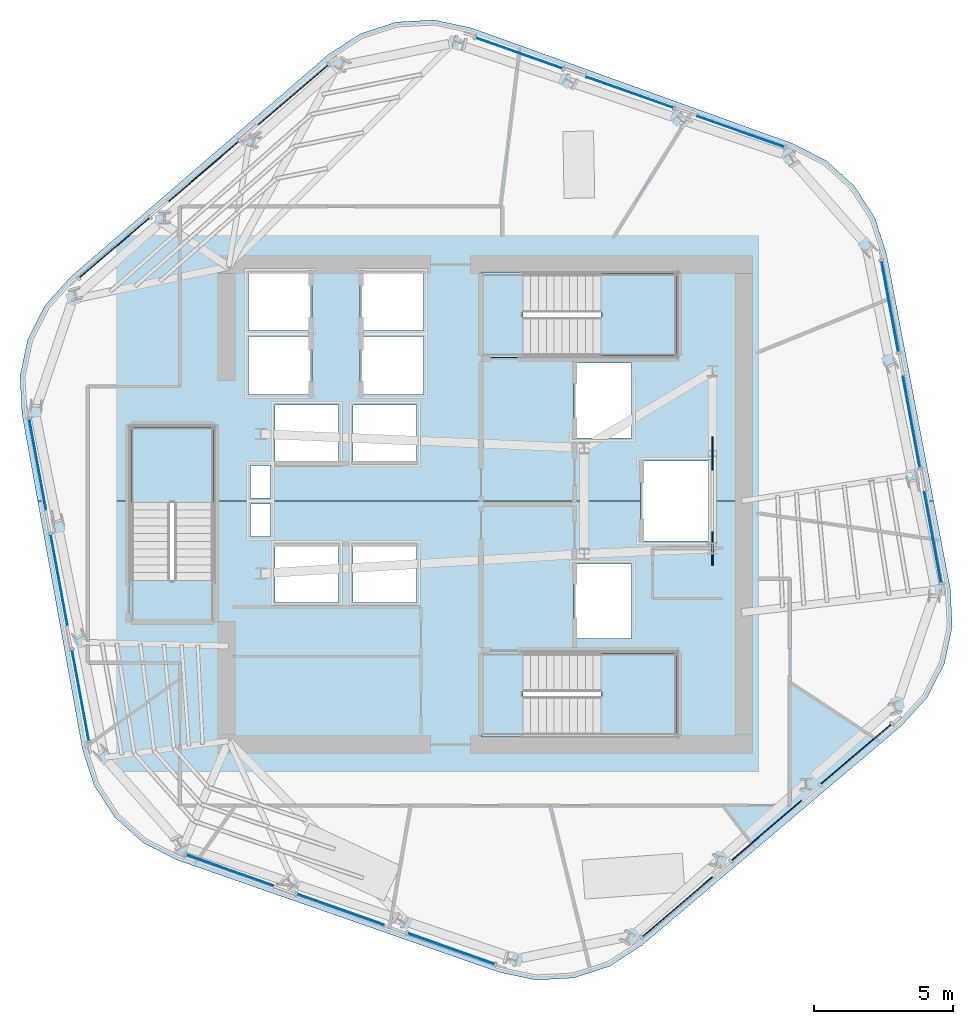
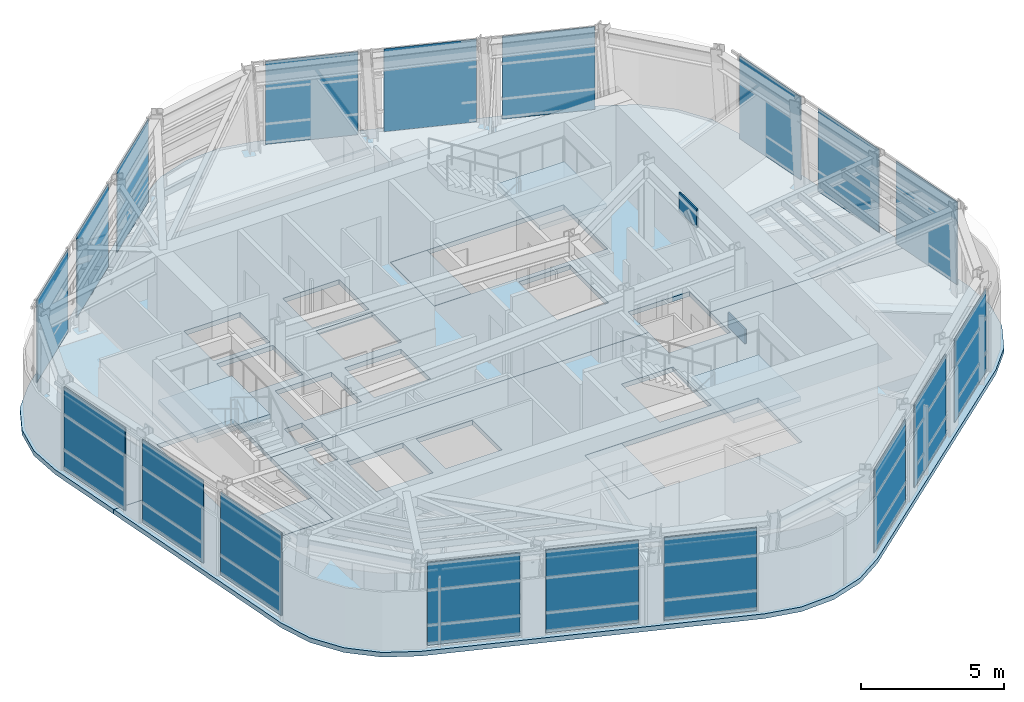
# One storey, part 5 of 14: 20 plates, 8 slabs, 9 elements without a shape of their own.
"""IFC4 building model written with IfcOpenShell, lengths in metres."""

from ifc_helpers import new_model, si_unit, direction, frame, origin, origin_2d, place, context, subcontext, project, spatial, polyline, rectangle, outline, extrude, material, layer, layer_set, type_object, element, aggregate, save


model = new_model("IFC4")

# Units and contexts
model_context = context("Model", 3, precision=1e-05, world=origin(), true_north=direction((0.0, 1.0)))
body_context = subcontext(model_context, "Body", "Model", "MODEL_VIEW")
ifc_project = project(units=[si_unit("LENGTHUNIT", "METRE"), si_unit("AREAUNIT", "SQUARE_METRE"), si_unit("VOLUMEUNIT", "CUBIC_METRE"), si_unit("PLANEANGLEUNIT", "RADIAN"), si_unit("MASSUNIT", "GRAM", prefix="KILO")], contexts=[model_context])

# Site, building, storey
site_placement = place(None, origin())
site = spatial("IfcSite", under=ifc_project, at=site_placement, CompositionType="ELEMENT")
building_placement = place(site_placement, origin())
building = spatial("IfcBuilding", under=site, at=building_placement, Name="Valkerne Bourse Tower", CompositionType="ELEMENT")
storey_placement = place(building_placement, frame((0.0, 0.0, 198.0)))
storey = spatial("IfcBuildingStorey", under=building, at=storey_placement, Name="L50", CompositionType="ELEMENT", Elevation=198.0)

# Curtain wall, plates
ifc_material_1 = material(Name="Aluminium AA 6063-T6", Category="aluminium")
ifc_layer_1 = layer(ifc_material_1, 0.239990234375)
ifc_layer_set_1 = layer_set([ifc_layer_1], Name="Aluminium AA 6063-T6")
curtain_wall_type = type_object("IfcCurtainWallType", Name="CW-04", PredefinedType="NOTDEFINED", material=ifc_layer_set_1)
curtain_wall_1_placement = place(storey_placement, origin())
curtain_wall_1 = element("IfcCurtainWall", 1, at=curtain_wall_1_placement, inside=storey, type_object=curtain_wall_type, Name="L50 Hexagonal Stick Curtain Wall Face 1", PredefinedType="NOTDEFINED")
ifc_material_2 = material(Name="Glass IGU Low-E Double Glazed", Category="glass")
ifc_layer_2 = layer(ifc_material_2, 0.031982421875)
ifc_layer_set_2 = layer_set([ifc_layer_2], Name="Glass IGU Low-E Double Glazed")
plate_type_1 = type_object("IfcPlateType", Name="CW-PNL-IGU-32", PredefinedType="CURTAIN_PANEL", material=ifc_layer_set_2)
plate_1_placement = place(storey_placement, frame((55.95751953125, 40.241455078125, 0.030029296875), z_axis=(0.0, 0.0, 1.0), x_axis=(-0.942643567267, 0.33380099624, 0.0)))
plate_1 = element("IfcPlate", 2, at=plate_1_placement, type_object=plate_type_1, Name="CW-L50-F1 Curtain Panel 00", PredefinedType="CURTAIN_PANEL", context=body_context, shape_type="SweptSolid", body=[
    extrude(rectangle(XDim=3.2919921875, YDim=0.031982421875, at=origin_2d()), origin(), (0.0, 0.0, 1.0), 3.5400390625),
])
plate_2_placement = place(storey_placement, frame((51.98681640625, 41.6474609375, 0.030029296875), z_axis=(0.0, 0.0, 1.0), x_axis=(-0.942640921859, 0.333808466695, 0.0)))
plate_2 = element("IfcPlate", 3, at=plate_2_placement, type_object=plate_type_1, Name="CW-L50-F1 Curtain Panel 01", PredefinedType="CURTAIN_PANEL", context=body_context, shape_type="SweptSolid", body=[
    extrude(rectangle(XDim=3.2919921875, YDim=0.031982421875, at=origin_2d()), origin(), (0.0, 0.0, 1.0), 3.5400390625),
])
plate_3_placement = place(storey_placement, frame((48.0166015625, 43.053466796875, 0.030029296875), z_axis=(0.0, 0.0, 1.0), x_axis=(-0.942640921859, 0.333808466695, 0.0)))
plate_3 = element("IfcPlate", 4, at=plate_3_placement, type_object=plate_type_1, Name="CW-L50-F1 Curtain Panel 02", PredefinedType="CURTAIN_PANEL", context=body_context, shape_type="SweptSolid", body=[
    extrude(rectangle(XDim=3.2919921875, YDim=0.031982421875, at=origin_2d()), origin(), (0.0, 0.0, 1.0), 3.5400390625),
])
aggregate(curtain_wall_1, [plate_1, plate_2, plate_3])

curtain_wall_2_placement = place(storey_placement, origin())
curtain_wall_2 = element("IfcCurtainWall", 5, at=curtain_wall_2_placement, inside=storey, type_object=curtain_wall_type, Name="L50 Hexagonal Stick Curtain Wall Face 2", PredefinedType="NOTDEFINED")
plate_4_placement = place(storey_placement, frame((39.9111328125, 41.55126953125, 0.030029296875), z_axis=(0.0, 0.0, 1.0), x_axis=(-0.760411783398, -0.649441236502, 0.0)))
plate_4 = element("IfcPlate", 6, at=plate_4_placement, type_object=plate_type_1, Name="CW-L50-F2 Curtain Panel 00", PredefinedType="CURTAIN_PANEL", context=body_context, shape_type="SweptSolid", body=[
    extrude(rectangle(XDim=3.2919921875, YDim=0.031982421875, at=origin_2d()), origin(), (0.0, 0.0, 1.0), 3.5400390625),
])
plate_5_placement = place(storey_placement, frame((36.70849609375, 38.81591796875, 0.030029296875), z_axis=(0.0, 0.0, 1.0), x_axis=(-0.760400058591, -0.649454964486, 0.0)))
plate_5 = element("IfcPlate", 7, at=plate_5_placement, type_object=plate_type_1, Name="CW-L50-F2 Curtain Panel 01", PredefinedType="CURTAIN_PANEL", context=body_context, shape_type="SweptSolid", body=[
    extrude(rectangle(XDim=3.2919921875, YDim=0.031982421875, at=origin_2d()), origin(), (0.0, 0.0, 1.0), 3.5400390625),
])
plate_6_placement = place(storey_placement, frame((33.505615234375, 36.080322265625, 0.030029296875), z_axis=(0.0, 0.0, 1.0), x_axis=(-0.760400058591, -0.649454964486, 0.0)))
plate_6 = element("IfcPlate", 8, at=plate_6_placement, type_object=plate_type_1, Name="CW-L50-F2 Curtain Panel 02", PredefinedType="CURTAIN_PANEL", context=body_context, shape_type="SweptSolid", body=[
    extrude(rectangle(XDim=3.2919921875, YDim=0.031982421875, at=origin_2d()), origin(), (0.0, 0.0, 1.0), 3.5400390625),
])
aggregate(curtain_wall_2, [plate_4, plate_5, plate_6])

curtain_wall_3_placement = place(storey_placement, origin())
curtain_wall_3 = element("IfcCurtainWall", 9, at=curtain_wall_3_placement, inside=storey, type_object=curtain_wall_type, Name="L50 Hexagonal Stick Curtain Wall Face 3", PredefinedType="NOTDEFINED")
plate_7_placement = place(storey_placement, frame((30.75390625, 28.309814453125, 0.030029296875), z_axis=(0.0, 0.0, 1.0), x_axis=(0.182239736328, -0.983254127122, 0.0)))
plate_7 = element("IfcPlate", 10, at=plate_7_placement, type_object=plate_type_1, Name="CW-L50-F3 Curtain Panel 00", PredefinedType="CURTAIN_PANEL", context=body_context, shape_type="SweptSolid", body=[
    extrude(rectangle(XDim=3.2919921875, YDim=0.031982421875, at=origin_2d()), origin(), (0.0, 0.0, 1.0), 3.5400390625),
])
plate_8_placement = place(storey_placement, frame((31.521484375, 24.168212890625, 0.030029296875), z_axis=(0.0, 0.0, 1.0), x_axis=(0.182216783154, -0.983258381066, 0.0)))
plate_8 = element("IfcPlate", 11, at=plate_8_placement, type_object=plate_type_1, Name="CW-L50-F3 Curtain Panel 01", PredefinedType="CURTAIN_PANEL", context=body_context, shape_type="SweptSolid", body=[
    extrude(rectangle(XDim=3.2919921875, YDim=0.031982421875, at=origin_2d()), origin(), (0.0, 0.0, 1.0), 3.5400390625),
])
plate_9_placement = place(storey_placement, frame((32.2890625, 20.02685546875, 0.030029296875), z_axis=(0.0, 0.0, 1.0), x_axis=(0.182239736328, -0.983254127122, 0.0)))
plate_9 = element("IfcPlate", 12, at=plate_9_placement, type_object=plate_type_1, Name="CW-L50-F3 Curtain Panel 02", PredefinedType="CURTAIN_PANEL", context=body_context, shape_type="SweptSolid", body=[
    extrude(rectangle(XDim=3.2919921875, YDim=0.031982421875, at=origin_2d()), origin(), (0.0, 0.0, 1.0), 3.5400390625),
])
aggregate(curtain_wall_3, [plate_7, plate_8, plate_9])

curtain_wall_4_placement = place(storey_placement, origin())
curtain_wall_4 = element("IfcCurtainWall", 13, at=curtain_wall_4_placement, inside=storey, type_object=curtain_wall_type, Name="L50 Hexagonal Stick Curtain Wall Face 4", PredefinedType="NOTDEFINED")
plate_10_placement = place(storey_placement, frame((37.642578125, 13.758544921875, 0.030029296875), z_axis=(0.0, 0.0, 1.0), x_axis=(0.942643567267, -0.33380099624, 0.0)))
plate_10 = element("IfcPlate", 14, at=plate_10_placement, type_object=plate_type_1, Name="CW-L50-F4 Curtain Panel 00", PredefinedType="CURTAIN_PANEL", context=body_context, shape_type="SweptSolid", body=[
    extrude(rectangle(XDim=3.2919921875, YDim=0.031982421875, at=origin_2d()), origin(), (0.0, 0.0, 1.0), 3.5400390625),
])
plate_11_placement = place(storey_placement, frame((41.613037109375, 12.3525390625, 0.030029296875), z_axis=(0.0, 0.0, 1.0), x_axis=(0.942640921859, -0.333808466695, 0.0)))
plate_11 = element("IfcPlate", 15, at=plate_11_placement, type_object=plate_type_1, Name="CW-L50-F4 Curtain Panel 01", PredefinedType="CURTAIN_PANEL", context=body_context, shape_type="SweptSolid", body=[
    extrude(rectangle(XDim=3.2919921875, YDim=0.031982421875, at=origin_2d()), origin(), (0.0, 0.0, 1.0), 3.5400390625),
])
plate_12_placement = place(storey_placement, frame((45.58349609375, 10.946533203125, 0.030029296875), z_axis=(0.0, 0.0, 1.0), x_axis=(0.942640921859, -0.333808466695, 0.0)))
plate_12 = element("IfcPlate", 16, at=plate_12_placement, type_object=plate_type_1, Name="CW-L50-F4 Curtain Panel 02", PredefinedType="CURTAIN_PANEL", context=body_context, shape_type="SweptSolid", body=[
    extrude(rectangle(XDim=3.2919921875, YDim=0.031982421875, at=origin_2d()), origin(), (0.0, 0.0, 1.0), 3.5400390625),
])
aggregate(curtain_wall_4, [plate_10, plate_11, plate_12])

curtain_wall_5_placement = place(storey_placement, origin())
curtain_wall_5 = element("IfcCurtainWall", 17, at=curtain_wall_5_placement, inside=storey, type_object=curtain_wall_type, Name="L50 Hexagonal Stick Curtain Wall Face 5", PredefinedType="NOTDEFINED")
plate_13_placement = place(storey_placement, frame((53.688720703125, 12.44873046875, 0.030029296875), z_axis=(0.0, 0.0, 1.0), x_axis=(0.760411783398, 0.649441236502, 0.0)))
plate_13 = element("IfcPlate", 18, at=plate_13_placement, type_object=plate_type_1, Name="CW-L50-F5 Curtain Panel 00", PredefinedType="CURTAIN_PANEL", context=body_context, shape_type="SweptSolid", body=[
    extrude(rectangle(XDim=3.2919921875, YDim=0.031982421875, at=origin_2d()), origin(), (0.0, 0.0, 1.0), 3.5400390625),
])
plate_14_placement = place(storey_placement, frame((56.8916015625, 15.18408203125, 0.030029296875), z_axis=(0.0, 0.0, 1.0), x_axis=(0.760400058591, 0.649454964486, 0.0)))
plate_14 = element("IfcPlate", 19, at=plate_14_placement, type_object=plate_type_1, Name="CW-L50-F5 Curtain Panel 01", PredefinedType="CURTAIN_PANEL", context=body_context, shape_type="SweptSolid", body=[
    extrude(rectangle(XDim=3.2919921875, YDim=0.031982421875, at=origin_2d()), origin(), (0.0, 0.0, 1.0), 3.5400390625),
])
plate_15_placement = place(storey_placement, frame((60.094482421875, 17.919677734375, 0.030029296875), z_axis=(0.0, 0.0, 1.0), x_axis=(0.760400058591, 0.649454964486, 0.0)))
plate_15 = element("IfcPlate", 20, at=plate_15_placement, type_object=plate_type_1, Name="CW-L50-F5 Curtain Panel 02", PredefinedType="CURTAIN_PANEL", context=body_context, shape_type="SweptSolid", body=[
    extrude(rectangle(XDim=3.2919921875, YDim=0.031982421875, at=origin_2d()), origin(), (0.0, 0.0, 1.0), 3.5400390625),
])
aggregate(curtain_wall_5, [plate_13, plate_14, plate_15])

curtain_wall_6_placement = place(storey_placement, origin())
curtain_wall_6 = element("IfcCurtainWall", 21, at=curtain_wall_6_placement, inside=storey, type_object=curtain_wall_type, Name="L50 Hexagonal Stick Curtain Wall Face 6", PredefinedType="NOTDEFINED")
plate_16_placement = place(storey_placement, frame((62.84619140625, 25.690185546875, 0.030029296875), z_axis=(0.0, 0.0, 1.0), x_axis=(-0.182239736328, 0.983254127122, 0.0)))
plate_16 = element("IfcPlate", 22, at=plate_16_placement, type_object=plate_type_1, Name="CW-L50-F6 Curtain Panel 00", PredefinedType="CURTAIN_PANEL", context=body_context, shape_type="SweptSolid", body=[
    extrude(rectangle(XDim=3.2919921875, YDim=0.031982421875, at=origin_2d()), origin(), (0.0, 0.0, 1.0), 3.5400390625),
])
plate_17_placement = place(storey_placement, frame((62.07861328125, 29.831787109375, 0.030029296875), z_axis=(0.0, 0.0, 1.0), x_axis=(-0.182216783154, 0.983258381066, 0.0)))
plate_17 = element("IfcPlate", 23, at=plate_17_placement, type_object=plate_type_1, Name="CW-L50-F6 Curtain Panel 01", PredefinedType="CURTAIN_PANEL", context=body_context, shape_type="SweptSolid", body=[
    extrude(rectangle(XDim=3.2919921875, YDim=0.031982421875, at=origin_2d()), origin(), (0.0, 0.0, 1.0), 3.5400390625),
])
plate_18_placement = place(storey_placement, frame((61.31103515625, 33.97314453125, 0.030029296875), z_axis=(0.0, 0.0, 1.0), x_axis=(-0.182239736328, 0.983254127122, 0.0)))
plate_18 = element("IfcPlate", 24, at=plate_18_placement, type_object=plate_type_1, Name="CW-L50-F6 Curtain Panel 02", PredefinedType="CURTAIN_PANEL", context=body_context, shape_type="SweptSolid", body=[
    extrude(rectangle(XDim=3.2919921875, YDim=0.031982421875, at=origin_2d()), origin(), (0.0, 0.0, 1.0), 3.5400390625),
])
aggregate(curtain_wall_6, [plate_16, plate_17, plate_18])

# Plates
ifc_material_3 = material(Name="Steel ASTM A572 Grade 50", Category="steel")
ifc_layer_3 = layer(ifc_material_3, 0.06005859375)
ifc_layer_set_3 = layer_set([ifc_layer_3], Name="Steel ASTM A572 Grade 50")
plate_type_2 = type_object("IfcPlateType", Name="PLT-GUS-60", PredefinedType="SHEET", material=ifc_layer_set_3)
for number, where, z_axis, x_axis, name in (
    (25, (54.949951171875, 25.300048828125, -0.18017578125), (0.0, 0.0, 1.0), (0.0, 1.0, 0.0), "L50 Brace Node Gusset Plate PLT-GUS-END-L50-416"),
    (26, (54.949951171875, 28.699951171875, 2.89404296875), (0.0, 0.0, 1.0), (0.0, 1.0, 0.0), "L50 Brace Node Gusset Plate PLT-GUS-END-L50-417"),
):
    element("IfcPlate", number, at=place(storey_placement, frame(where, z_axis=z_axis, x_axis=x_axis)), inside=storey, type_object=plate_type_2, Name=name, PredefinedType="SHEET", context=body_context, shape_type="SweptSolid", body=[
        extrude(rectangle(XDim=1.199951171875, YDim=0.06005859375, at=origin_2d()), origin(), (0.0, 0.0, 1.0), 0.800048828125),
    ])

# Slabs
ifc_material_4 = material(Name="Concrete C40/50", Category="concrete")
ifc_layer_4 = layer(ifc_material_4, 0.25)
ifc_layer_set_4 = layer_set([ifc_layer_4], Name="Concrete C40/50")
slab_type_1 = type_object("IfcSlabType", Name="SLB-RMP-LND-250", PredefinedType="LANDING", material=ifc_layer_set_4)
slab_1_placement = place(storey_placement, frame((0.0, 0.0, -0.199951171875)))
element("IfcSlab", 27, at=slab_1_placement, inside=storey, type_object=slab_type_1, Name="L50 ST-1 Floor Landing Slab", PredefinedType="LANDING", context=body_context, shape_type="SweptSolid", body=[
    extrude(outline(polyline([(46.669921875, 18.5400390625), (48.14990234375, 18.5400390625), (48.14990234375, 21.610107421875), (46.669921875, 21.610107421875), (46.669921875, 18.5400390625)])), origin(), (0.0, 0.0, 1.0), 0.199951171875),
])
slab_2_placement = place(storey_placement, frame((0.0, 0.0, -0.199951171875)))
element("IfcSlab", 28, at=slab_2_placement, inside=storey, type_object=slab_type_1, Name="L50 ST-2 Floor Landing Slab", PredefinedType="LANDING", context=body_context, shape_type="SweptSolid", body=[
    extrude(outline(polyline([(46.669921875, 32.139892578125), (48.14990234375, 32.139892578125), (48.14990234375, 35.2099609375), (46.669921875, 35.2099609375), (46.669921875, 32.139892578125)])), origin(), (0.0, 0.0, 1.0), 0.199951171875),
])
slab_3_placement = place(storey_placement, frame((0.0, 0.0, -0.199951171875)))
element("IfcSlab", 29, at=slab_3_placement, inside=storey, type_object=slab_type_1, Name="L50 ST-3 Floor Landing Slab", PredefinedType="LANDING", context=body_context, shape_type="SweptSolid", body=[
    extrude(outline(polyline([(37.110107421875, 22.669921875), (37.110107421875, 24.14990234375), (34.0400390625, 24.14990234375), (34.0400390625, 22.669921875), (37.110107421875, 22.669921875)])), origin(), (0.0, 0.0, 1.0), 0.199951171875),
])

# Stair, slab
stair_type = type_object("IfcStairType", Name="ST-CORE-1400", PredefinedType="HALF_TURN_STAIR", material=ifc_material_4)
stair_1_placement = place(storey_placement, origin())
stair_1 = element("IfcStair", 30, at=stair_1_placement, inside=storey, type_object=stair_type, Name="L50 ST-1", PredefinedType="HALF_TURN_STAIR")
ifc_layer_5 = layer(ifc_material_4, 0.179931640625)
ifc_layer_set_5 = layer_set([ifc_layer_5], Name="Concrete C40/50")
slab_type_2 = type_object("IfcSlabType", Name="SLB-ST-LND-180", PredefinedType="LANDING", material=ifc_layer_set_5)
slab_4_placement = place(storey_placement, frame((0.0, 0.0, 1.699951171875)))
slab_4 = element("IfcSlab", 31, at=slab_4_placement, type_object=slab_type_2, Name="ST-1 landing 1", PredefinedType="LANDING", context=body_context, shape_type="SweptSolid", body=[
    extrude(outline(polyline([(50.949951171875, 18.60009765625), (53.64990234375, 18.60009765625), (53.64990234375, 21.550048828125), (50.949951171875, 21.550048828125), (50.949951171875, 18.60009765625)])), origin(), (0.0, 0.0, 1.0), 0.199951171875),
])
aggregate(stair_1, [slab_4])

stair_2_placement = place(storey_placement, origin())
stair_2 = element("IfcStair", 32, at=stair_2_placement, inside=storey, type_object=stair_type, Name="L50 ST-2", PredefinedType="HALF_TURN_STAIR")
slab_5_placement = place(storey_placement, frame((0.0, 0.0, 1.699951171875)))
slab_5 = element("IfcSlab", 33, at=slab_5_placement, type_object=slab_type_2, Name="ST-2 landing 1", PredefinedType="LANDING", context=body_context, shape_type="SweptSolid", body=[
    extrude(outline(polyline([(50.949951171875, 32.199951171875), (53.64990234375, 32.199951171875), (53.64990234375, 35.14990234375), (50.949951171875, 35.14990234375), (50.949951171875, 32.199951171875)])), origin(), (0.0, 0.0, 1.0), 0.199951171875),
])
aggregate(stair_2, [slab_5])

stair_3_placement = place(storey_placement, origin())
stair_3 = element("IfcStair", 34, at=stair_3_placement, inside=storey, type_object=stair_type, Name="L50 ST-3", PredefinedType="HALF_TURN_STAIR")
slab_6_placement = place(storey_placement, frame((0.0, 0.0, 1.699951171875)))
slab_6 = element("IfcSlab", 35, at=slab_6_placement, type_object=slab_type_2, Name="ST-3 landing 1", PredefinedType="LANDING", context=body_context, shape_type="SweptSolid", body=[
    extrude(outline(polyline([(37.050048828125, 26.949951171875), (37.050048828125, 29.64990234375), (34.10009765625, 29.64990234375), (34.10009765625, 26.949951171875), (37.050048828125, 26.949951171875)])), origin(), (0.0, 0.0, 1.0), 0.199951171875),
])
aggregate(stair_3, [slab_6])

# Slabs
ifc_layer_6 = layer(ifc_material_4, 0.199951171875)
ifc_layer_set_6 = layer_set([ifc_layer_6], Name="Concrete C40/50")
slab_type_3 = type_object("IfcSlabType", Name="SLB-TOW-200", PredefinedType="FLOOR", material=ifc_layer_set_6)
slab_7_placement = place(storey_placement, frame((0.0, 0.0, -0.199951171875)))
element("IfcSlab", 36, at=slab_7_placement, inside=storey, type_object=slab_type_3, Name="L50 Hexagonal Composite Floor Slab S", PredefinedType="FLOOR", context=body_context, shape_type="SweptSolid", body=[
    extrude(outline(polyline([(63.5458984375, 22.497802734375), (63.263916015625, 21.169921875), (62.6474609375, 19.96044921875), (61.7392578125, 18.95166015625), (52.399658203125, 11.054443359375), (51.260986328125, 10.315185546875), (49.97021484375, 9.895751953125), (48.614501953125, 9.82470703125), (47.28662109375, 10.10693359375), (35.7373046875, 14.13232421875), (34.52783203125, 14.748779296875), (33.51904296875, 15.656982421875), (32.77978515625, 16.79541015625), (32.3603515625, 18.08642578125), (30.75390625, 27.0), (34.034912109375, 27.0), (34.034912109375, 22.6650390625), (37.114990234375, 22.6650390625), (37.114990234375, 27.0), (52.360107421875, 27.0), (52.360107421875, 25.56005859375), (54.840087890625, 25.56005859375), (54.840087890625, 27.0), (62.87548828125, 27.0), (63.474853515625, 23.853271484375), (63.5458984375, 22.497802734375)]), holes=[polyline([(41.5400390625, 25.43994140625), (39.260009765625, 25.43994140625), (39.260009765625, 23.360107421875), (41.5400390625, 23.360107421875), (41.5400390625, 25.43994140625)]), polyline([(44.340087890625, 25.43994140625), (42.06005859375, 25.43994140625), (42.06005859375, 23.360107421875), (44.340087890625, 23.360107421875), (44.340087890625, 25.43994140625)]), polyline([(39.10009765625, 26.89990234375), (38.3798828125, 26.89990234375), (38.3798828125, 25.72998046875), (39.10009765625, 25.72998046875), (39.10009765625, 26.89990234375)]), polyline([(53.675048828125, 21.614990234375), (46.6650390625, 21.614990234375), (46.6650390625, 18.534912109375), (53.675048828125, 18.534912109375), (53.675048828125, 21.614990234375)]), polyline([(52.0400390625, 24.739990234375), (49.9599609375, 24.739990234375), (49.9599609375, 22.06005859375), (52.0400390625, 22.06005859375), (52.0400390625, 24.739990234375)])]), origin(), (0.0, 0.0, 1.0), 0.199951171875),
])
slab_8_placement = place(storey_placement, frame((0.0, 0.0, -0.199951171875)))
element("IfcSlab", 37, at=slab_8_placement, inside=storey, type_object=slab_type_3, Name="L50 Hexagonal Composite Floor Slab N", PredefinedType="FLOOR", context=body_context, shape_type="SweptSolid", body=[
    extrude(outline(polyline([(30.19091796875, 30.123291015625), (30.1201171875, 31.47900390625), (30.402099609375, 32.806884765625), (31.0185546875, 34.016357421875), (31.9267578125, 35.025146484375), (41.1875, 43.014404296875), (42.326171875, 43.753662109375), (43.6171875, 44.173095703125), (44.972900390625, 44.244140625), (46.300537109375, 43.9619140625), (57.809326171875, 39.822021484375), (59.018798828125, 39.205810546875), (60.027587890625, 38.297607421875), (60.76708984375, 37.158935546875), (61.1865234375, 35.867919921875), (62.87548828125, 27.0), (54.840087890625, 27.0), (54.840087890625, 28.43994140625), (52.360107421875, 28.43994140625), (52.360107421875, 27.0), (37.114990234375, 27.0), (37.114990234375, 29.675048828125), (34.034912109375, 29.675048828125), (34.034912109375, 27.0), (30.75390625, 27.0), (30.19091796875, 30.123291015625)]), holes=[polyline([(39.10009765625, 28.27001953125), (38.3798828125, 28.27001953125), (38.3798828125, 27.10009765625), (39.10009765625, 27.10009765625), (39.10009765625, 28.27001953125)]), polyline([(41.5400390625, 30.43994140625), (39.260009765625, 30.43994140625), (39.260009765625, 28.360107421875), (41.5400390625, 28.360107421875), (41.5400390625, 30.43994140625)]), polyline([(40.590087890625, 32.889892578125), (38.31005859375, 32.889892578125), (38.31005859375, 30.81005859375), (40.590087890625, 30.81005859375), (40.590087890625, 32.889892578125)]), polyline([(40.590087890625, 35.18994140625), (38.31005859375, 35.18994140625), (38.31005859375, 33.110107421875), (40.590087890625, 33.110107421875), (40.590087890625, 35.18994140625)]), polyline([(44.340087890625, 30.43994140625), (42.06005859375, 30.43994140625), (42.06005859375, 28.360107421875), (44.340087890625, 28.360107421875), (44.340087890625, 30.43994140625)]), polyline([(52.0400390625, 31.93994140625), (49.9599609375, 31.93994140625), (49.9599609375, 29.260009765625), (52.0400390625, 29.260009765625), (52.0400390625, 31.93994140625)]), polyline([(44.590087890625, 32.889892578125), (42.31005859375, 32.889892578125), (42.31005859375, 30.81005859375), (44.590087890625, 30.81005859375), (44.590087890625, 32.889892578125)]), polyline([(53.675048828125, 35.215087890625), (46.6650390625, 35.215087890625), (46.6650390625, 32.135009765625), (53.675048828125, 32.135009765625), (53.675048828125, 35.215087890625)]), polyline([(44.590087890625, 35.18994140625), (42.31005859375, 35.18994140625), (42.31005859375, 33.110107421875), (44.590087890625, 33.110107421875), (44.590087890625, 35.18994140625)])]), origin(), (0.0, 0.0, 1.0), 0.199951171875),
])

save(model, "model.ifc")
